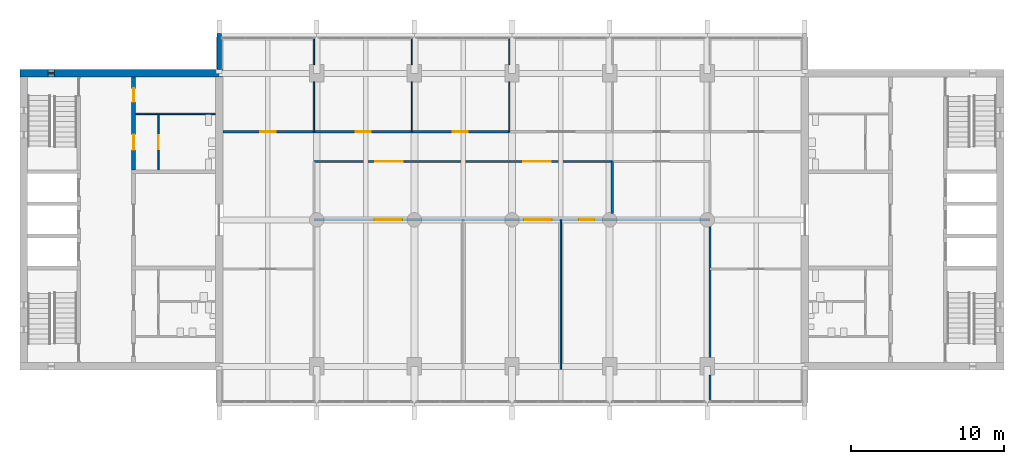
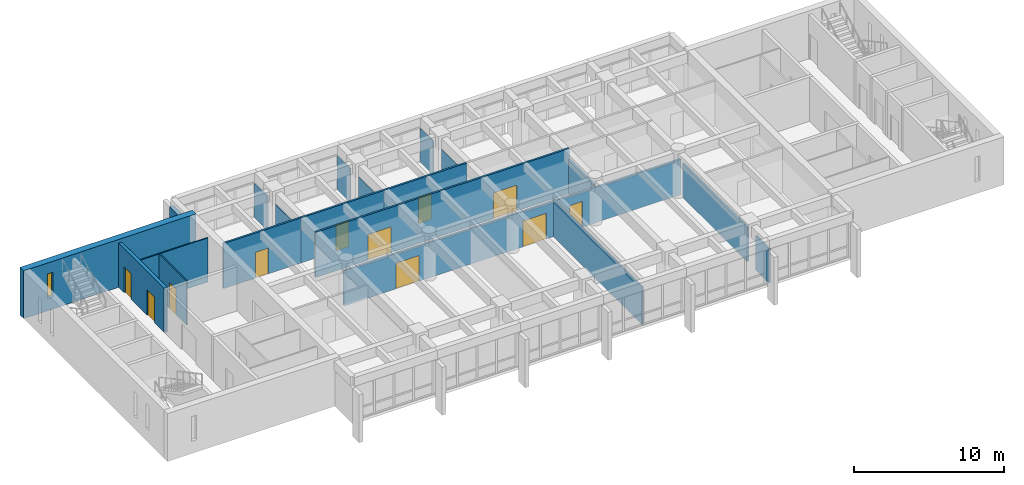
# One storey, part 10 of 15: 20 walls, 11 doors, 1 window, 12 openings.
"""IFC4 building model written with IfcOpenShell, lengths in metres."""

from ifc_helpers import new_model, si_unit, direction, frame, frame_2d, origin, place, context, subcontext, project, spatial, rectangle, extrude, material, layer, layer_set, type_object, element, fill, save


model = new_model("IFC4")

# Units and contexts
model_context = context("Model", 3, precision=1e-05, world=origin(), true_north=direction((0.0, 1.0)))
body_context = subcontext(model_context, "Body", "Model", "MODEL_VIEW")
ifc_project = project(units=[si_unit("LENGTHUNIT", "METRE"), si_unit("AREAUNIT", "SQUARE_METRE"), si_unit("VOLUMEUNIT", "CUBIC_METRE"), si_unit("PLANEANGLEUNIT", "RADIAN"), si_unit("MASSUNIT", "GRAM", prefix="KILO")], contexts=[model_context])

# Site, building, storey
site_placement = place(None, origin())
site = spatial("IfcSite", under=ifc_project, at=site_placement, CompositionType="ELEMENT")
building_placement = place(site_placement, origin())
building = spatial("IfcBuilding", under=site, at=building_placement, Name="Fogon Plaza Fire Station and Headquarters Tower", CompositionType="ELEMENT")
storey_placement = place(building_placement, frame((0.0, 0.0, 40.5)))
storey = spatial("IfcBuildingStorey", under=building, at=storey_placement, Name="L10", CompositionType="ELEMENT", Elevation=40.5)

# Wall, openings, doors
ifc_material_1 = material(Name="Concrete C40", Category="concrete")
ifc_layer_1 = layer(ifc_material_1, 0.25)
ifc_layer_set_1 = layer_set([ifc_layer_1], Name="Concrete C40")
wall_type_1 = type_object("IfcWallType", Name="Core Wall RC 250", PredefinedType="SOLIDWALL", material=ifc_layer_set_1)
wall_1_placement = place(storey_placement, frame((20.0, 46.47509765625, 0.0), z_axis=(0.0, 0.0, 1.0), x_axis=(0.0, 1.0, 0.0)))
wall_1 = element("IfcWall", 1, at=wall_1_placement, inside=storey, type_object=wall_type_1, Name="Core A shaft wall", PredefinedType="SOLIDWALL", context=body_context, shape_type="SweptSolid", body=[
    extrude(rectangle(XDim=6.074951171875, YDim=0.25, at=frame_2d((3.03759765625, 0.0))), origin(), (0.0, 0.0, 1.0), 3.60009765625),
])
opening_1_placement = place(wall_1_placement, frame((1.3125, 0.0, 0.0)))
opening_1 = element("IfcOpeningElement", 2, at=opening_1_placement, cuts=wall_1, Name="Opening L10-D12", PredefinedType="OPENING", context=body_context, shape_type="SweptSolid", body=[
    extrude(rectangle(XDim=1.0, YDim=2.10009765625, at=frame_2d((0.5, 1.050048828125))), frame((0.0, 0.135009765625, 0.0), z_axis=(0.0, -1.0, 0.0), x_axis=(1.0, 0.0, 0.0)), (0.0, 0.0, 1.0), 0.27001953125),
])
opening_2_placement = place(wall_1_placement, frame((4.449951171875, 0.0, 0.0)))
opening_2 = element("IfcOpeningElement", 3, at=opening_2_placement, cuts=wall_1, Name="Opening L10-D14", PredefinedType="OPENING", context=body_context, shape_type="SweptSolid", body=[
    extrude(rectangle(XDim=0.89990234375, YDim=2.10009765625, at=frame_2d((0.449951171875, 1.050048828125))), frame((0.0, 0.135009765625, 0.0), z_axis=(0.0, -1.0, 0.0), x_axis=(1.0, 0.0, 0.0)), (0.0, 0.0, 1.0), 0.27001953125),
])
ifc_material_2 = material(Name="Steel Fire Door Leaf", Category="steel")
door_type_1 = type_object("IfcDoorType", Name="Riser Single 900x2100", OperationType="SINGLE_SWING_LEFT", PredefinedType="DOOR", material=ifc_material_2)
door_1_placement = place(opening_2_placement, frame((0.89990234375, 0.0, 0.0), z_axis=(0.0, 0.0, 1.0), x_axis=(-1.0, 0.0, 0.0)))
door_1 = element("IfcDoor", 4, at=door_1_placement, inside=storey, type_object=door_type_1, Name="Riser room A door", OperationType="SINGLE_SWING_LEFT", OverallHeight=2.10009765625, OverallWidth=0.89990234375, PredefinedType="DOOR", context=body_context, shape_type="SweptSolid", body=[
    extrude(rectangle(XDim=0.89990234375, YDim=2.10009765625, at=frame_2d((0.449951171875, 1.050048828125))), frame((0.0, 0.02490234375, 0.0), z_axis=(0.0, -1.0, 0.0), x_axis=(1.0, 0.0, 0.0)), (0.0, 0.0, 1.0), 0.050048828125),
])
fill(opening_2, door_1)
ifc_material_3 = material(Name="Timber fire door", Category="wood")
door_type_2 = type_object("IfcDoorType", Name="WC Lobby Single 1000x2100", OperationType="SINGLE_SWING_LEFT", PredefinedType="DOOR", material=ifc_material_3)
door_2_placement = place(opening_1_placement, frame((1.0, 0.0, 0.0), z_axis=(0.0, 0.0, 1.0), x_axis=(-1.0, 0.0, 0.0)))
door_2 = element("IfcDoor", 5, at=door_2_placement, inside=storey, type_object=door_type_2, Name="Women's WC lobby A door", OperationType="SINGLE_SWING_LEFT", OverallHeight=2.10009765625, OverallWidth=1.0, PredefinedType="DOOR", context=body_context, shape_type="SweptSolid", body=[
    extrude(rectangle(XDim=1.0, YDim=2.10009765625, at=frame_2d((0.5, 1.050048828125))), frame((0.0, 0.02490234375, 0.0), z_axis=(0.0, -1.0, 0.0), x_axis=(1.0, 0.0, 0.0)), (0.0, 0.0, 1.0), 0.050048828125),
])
fill(opening_1, door_2)

# Wall
ifc_material_4 = material(Name="Concrete C40", Category="concrete")
ifc_layer_2 = layer(ifc_material_4, 0.300048828125)
ifc_layer_set_2 = layer_set([ifc_layer_2], Name="Concrete C40")
wall_type_2 = type_object("IfcWallType", Name="Fair-faced RC Return Panel 300", PredefinedType="SOLIDWALL", material=ifc_layer_set_2)
wall_2_placement = place(storey_placement, frame((25.60009765625, 53.050048828125, 0.0), z_axis=(0.0, 0.0, 1.0), x_axis=(0.0, 1.0, 0.0)))
element("IfcWall", 6, at=wall_2_placement, inside=storey, type_object=wall_type_2, Name="Bar end return WN L10", PredefinedType="SOLIDWALL", context=body_context, shape_type="SweptSolid", body=[
    extrude(rectangle(XDim=2.349853515625, YDim=0.300048828125, at=frame_2d((1.1748046875, 0.0))), origin(), (0.0, 0.0, 1.0), 2.8798828125),
])

# Wall, opening, door
ifc_material_5 = material(Name="Blockwork", Category="masonry")
ifc_layer_3 = layer(ifc_material_5, 0.10009765625)
ifc_layer_set_3 = layer_set([ifc_layer_3], Name="Blockwork")
wall_type_3 = type_object("IfcWallType", Name="Partition Blockwork 100", PredefinedType="PARTITIONING", material=ifc_layer_set_3)
wall_3_placement = place(storey_placement, frame((21.625, 46.47509765625, 0.0), z_axis=(0.0, 0.0, 1.0), x_axis=(0.0, 1.0, 0.0)))
wall_3 = element("IfcWall", 7, at=wall_3_placement, inside=storey, type_object=wall_type_3, Name="WC block partition", PredefinedType="PARTITIONING", context=body_context, shape_type="SweptSolid", body=[
    extrude(rectangle(XDim=3.625, YDim=0.10009765625, at=frame_2d((1.8125, 0.0))), origin(), (0.0, 0.0, 1.0), 3.60009765625),
])
opening_3_placement = place(wall_3_placement, frame((1.362548828125, 0.0, 0.0)))
opening_3 = element("IfcOpeningElement", 8, at=opening_3_placement, cuts=wall_3, Name="Opening L10-D13", PredefinedType="OPENING", context=body_context, shape_type="SweptSolid", body=[
    extrude(rectangle(XDim=0.89990234375, YDim=2.10009765625, at=frame_2d((0.449951171875, 1.050048828125))), frame((0.0, 0.06005859375, 0.0), z_axis=(0.0, -1.0, 0.0), x_axis=(1.0, 0.0, 0.0)), (0.0, 0.0, 1.0), 0.1201171875),
])
ifc_material_6 = material(Name="Timber Door Leaf", Category="wood")
door_type_3 = type_object("IfcDoorType", Name="WC Single 900x2100", OperationType="SINGLE_SWING_LEFT", PredefinedType="DOOR", material=ifc_material_6)
door_3_placement = place(opening_3_placement, frame((0.89990234375, 0.0, 0.0), z_axis=(0.0, 0.0, 1.0), x_axis=(-1.0, 0.0, 0.0)))
door_3 = element("IfcDoor", 9, at=door_3_placement, inside=storey, type_object=door_type_3, Name="Women's WC A door", OperationType="SINGLE_SWING_RIGHT", OverallHeight=2.10009765625, OverallWidth=0.89990234375, PredefinedType="DOOR", context=body_context, shape_type="SweptSolid", body=[
    extrude(rectangle(XDim=0.89990234375, YDim=2.10009765625, at=frame_2d((0.449951171875, 1.050048828125))), frame((0.0, 0.02490234375, 0.0), z_axis=(0.0, -1.0, 0.0), x_axis=(1.0, 0.0, 0.0)), (0.0, 0.0, 1.0), 0.050048828125),
])
fill(opening_3, door_3)

# Wall
ifc_material_7 = material(Name="Blockwork", Category="masonry")
ifc_layer_4 = layer(ifc_material_7, 0.10009765625)
ifc_layer_set_4 = layer_set([ifc_layer_4], Name="Blockwork")
wall_type_4 = type_object("IfcWallType", Name="Riser Partition Blockwork 100", PredefinedType="PARTITIONING", material=ifc_layer_set_4)
wall_4_placement = place(storey_placement, frame((20.125, 50.14990234375, 0.0), z_axis=(0.0, 0.0, 1.0), x_axis=(1.0, 0.0, 0.0)))
element("IfcWall", 10, at=wall_4_placement, inside=storey, type_object=wall_type_4, Name="Riser room partition", PredefinedType="PARTITIONING", context=body_context, shape_type="SweptSolid", body=[
    extrude(rectangle(XDim=5.22509765625, YDim=0.10009765625, at=frame_2d((2.612548828125, 0.0))), origin(), (0.0, 0.0, 1.0), 3.60009765625),
])

# Wall, opening, window
ifc_material_8 = material(Name="Concrete C40", Category="concrete")
ifc_layer_5 = layer(ifc_material_8, 0.5)
ifc_layer_set_5 = layer_set([ifc_layer_5], Name="Concrete C40")
wall_type_5 = type_object("IfcWallType", Name="Shear wall 500 SW50", PredefinedType="SHEAR", material=ifc_layer_set_5)
wall_5_placement = place(storey_placement, frame((12.550048828125, 52.800048828125, 0.0), z_axis=(0.0, 0.0, 1.0), x_axis=(1.0, 0.0, 0.0)))
wall_5 = element("IfcWall", 11, at=wall_5_placement, inside=storey, type_object=wall_type_5, Name="wall-coreA-N-L10", PredefinedType="SHEAR", context=body_context, shape_type="SweptSolid", body=[
    extrude(rectangle(XDim=13.300048828125, YDim=0.5, at=frame_2d((6.64990234375, 0.0))), origin(), (0.0, 0.0, 1.0), 3.89990234375),
])
opening_4_placement = place(wall_5_placement, frame((1.85009765625, 0.0, 1.0)))
opening_4 = element("IfcOpeningElement", 12, at=opening_4_placement, cuts=wall_5, Name="Opening WS1", PredefinedType="OPENING", context=body_context, shape_type="SweptSolid", body=[
    extrude(rectangle(XDim=0.39990234375, YDim=2.0, at=frame_2d((0.199951171875, 1.0))), frame((0.0, 0.260009765625, 0.0), z_axis=(0.0, -1.0, 0.0), x_axis=(1.0, 0.0, 0.0)), (0.0, 0.0, 1.0), 0.52001953125),
])
ifc_material_9 = material(Name="Aluminium framed double glazing", Category="aluminium")
window_type = type_object("IfcWindowType", Name="Slit Window WS1 400x2000", PartitioningType="SINGLE_PANEL", PredefinedType="WINDOW", material=ifc_material_9)
window_placement = place(opening_4_placement, origin())
window = element("IfcWindow", 13, at=window_placement, inside=storey, type_object=window_type, Name="Slit window A6 L10", OverallHeight=2.0, OverallWidth=0.39990234375, PartitioningType="SINGLE_PANEL", PredefinedType="WINDOW", context=body_context, shape_type="SweptSolid", body=[
    extrude(rectangle(XDim=0.39990234375, YDim=2.0, at=frame_2d((0.199951171875, 1.0))), frame((0.0, 0.030029296875, 0.0), z_axis=(0.0, -1.0, 0.0), x_axis=(1.0, 0.0, 0.0)), (0.0, 0.0, 1.0), 0.06005859375),
])
fill(opening_4, window)

# Wall, openings, doors
ifc_material_10 = material(Name="Gypsum board on steel stud", Category="steel")
ifc_layer_6 = layer(ifc_material_10, 0.14990234375)
ifc_layer_set_6 = layer_set([ifc_layer_6], Name="Gypsum board on steel stud")
wall_type_6 = type_object("IfcWallType", Name="Tower corridor partition 150 EI 60", PredefinedType="PARTITIONING", material=ifc_layer_set_6)
wall_6_placement = place(storey_placement, frame((31.820068359375, 47.02490234375, 0.0), z_axis=(0.0, 0.0, 1.0), x_axis=(1.0, 0.0, 0.0)))
wall_6 = element("IfcWall", 14, at=wall_6_placement, inside=storey, type_object=wall_type_6, Name="part-L10-03", PredefinedType="PARTITIONING", context=body_context, shape_type="SweptSolid", body=[
    extrude(rectangle(XDim=19.559814453125, YDim=0.14990234375, at=frame_2d((9.77978515625, 0.0))), origin(), (0.0, 0.0, 1.0), 3.679931640625),
])
opening_5_placement = place(wall_6_placement, frame((4.030029296875, 0.0, 0.0)))
opening_5 = element("IfcOpeningElement", 15, at=opening_5_placement, cuts=wall_6, Name="Opening L10-D29", PredefinedType="OPENING", context=body_context, shape_type="SweptSolid", body=[
    extrude(rectangle(XDim=1.800048828125, YDim=2.10009765625, at=frame_2d((0.89990234375, 1.050048828125))), frame((0.0, 0.0849609375, 0.0), z_axis=(0.0, -1.0, 0.0), x_axis=(1.0, 0.0, 0.0)), (0.0, 0.0, 1.0), 0.169921875),
])
opening_6_placement = place(wall_6_placement, frame((13.72998046875, 0.0, 0.0)))
opening_6 = element("IfcOpeningElement", 16, at=opening_6_placement, cuts=wall_6, Name="Opening L10-D30", PredefinedType="OPENING", context=body_context, shape_type="SweptSolid", body=[
    extrude(rectangle(XDim=1.800048828125, YDim=2.10009765625, at=frame_2d((0.89990234375, 1.050048828125))), frame((0.0, 0.0849609375, 0.0), z_axis=(0.0, -1.0, 0.0), x_axis=(1.0, 0.0, 0.0)), (0.0, 0.0, 1.0), 0.169921875),
])
ifc_material_11 = material(Name="Timber fire door", Category="wood")
door_type_4 = type_object("IfcDoorType", Name="Tower fire door double 1800 EI 20", OperationType="DOUBLE_DOOR_SINGLE_SWING", PredefinedType="DOOR", material=ifc_material_11)
door_4_placement = place(opening_5_placement, origin())
door_4 = element("IfcDoor", 17, at=door_4_placement, inside=storey, type_object=door_type_4, Name="door-L10-01", OperationType="DOUBLE_DOOR_SINGLE_SWING", OverallHeight=2.10009765625, OverallWidth=1.800048828125, PredefinedType="DOOR", context=body_context, shape_type="SweptSolid", body=[
    extrude(rectangle(XDim=1.800048828125, YDim=2.10009765625, at=frame_2d((0.89990234375, 1.050048828125))), frame((0.0, 0.02490234375, 0.0), z_axis=(0.0, -1.0, 0.0), x_axis=(1.0, 0.0, 0.0)), (0.0, 0.0, 1.0), 0.050048828125),
])
fill(opening_5, door_4)
door_5_placement = place(opening_6_placement, origin())
door_5 = element("IfcDoor", 18, at=door_5_placement, inside=storey, type_object=door_type_4, Name="door-L10-02", OperationType="DOUBLE_DOOR_SINGLE_SWING", OverallHeight=2.10009765625, OverallWidth=1.800048828125, PredefinedType="DOOR", context=body_context, shape_type="SweptSolid", body=[
    extrude(rectangle(XDim=1.800048828125, YDim=2.10009765625, at=frame_2d((0.89990234375, 1.050048828125))), frame((0.0, 0.02490234375, 0.0), z_axis=(0.0, -1.0, 0.0), x_axis=(1.0, 0.0, 0.0)), (0.0, 0.0, 1.0), 0.050048828125),
])
fill(opening_6, door_5)

# Wall, opening, door
wall_7_placement = place(storey_placement, frame((25.85009765625, 48.97509765625, 0.0), z_axis=(0.0, 0.0, 1.0), x_axis=(1.0, 0.0, 0.0)))
wall_7 = element("IfcWall", 19, at=wall_7_placement, inside=storey, type_object=wall_type_6, Name="part-L10-06", PredefinedType="PARTITIONING", context=body_context, shape_type="SweptSolid", body=[
    extrude(rectangle(XDim=5.969970703125, YDim=0.14990234375, at=frame_2d((2.98486328125, 0.0))), origin(), (0.0, 0.0, 1.0), 3.679931640625),
])
opening_7_placement = place(wall_7_placement, frame((2.449951171875, 0.0, 0.0)))
opening_7 = element("IfcOpeningElement", 20, at=opening_7_placement, cuts=wall_7, Name="Opening L10-D32", PredefinedType="OPENING", context=body_context, shape_type="SweptSolid", body=[
    extrude(rectangle(XDim=1.0, YDim=2.10009765625, at=frame_2d((0.5, 1.050048828125))), frame((0.0, 0.0849609375, 0.0), z_axis=(0.0, -1.0, 0.0), x_axis=(1.0, 0.0, 0.0)), (0.0, 0.0, 1.0), 0.169921875),
])
ifc_material_12 = material(Name="Timber fire door", Category="wood")
door_type_5 = type_object("IfcDoorType", Name="Tower fire door single 1000 EI 20", OperationType="SINGLE_SWING_LEFT", PredefinedType="DOOR", material=ifc_material_12)
door_6_placement = place(opening_7_placement, origin())
door_6 = element("IfcDoor", 21, at=door_6_placement, inside=storey, type_object=door_type_5, Name="door-L10-04", OperationType="SINGLE_SWING_RIGHT", OverallHeight=2.10009765625, OverallWidth=1.0, PredefinedType="DOOR", context=body_context, shape_type="SweptSolid", body=[
    extrude(rectangle(XDim=1.0, YDim=2.10009765625, at=frame_2d((0.5, 1.050048828125))), frame((0.0, 0.02490234375, 0.0), z_axis=(0.0, -1.0, 0.0), x_axis=(1.0, 0.0, 0.0)), (0.0, 0.0, 1.0), 0.050048828125),
])
fill(opening_7, door_6)

wall_8_placement = place(storey_placement, frame((31.820068359375, 48.97509765625, 0.0), z_axis=(0.0, 0.0, 1.0), x_axis=(1.0, 0.0, 0.0)))
wall_8 = element("IfcWall", 22, at=wall_8_placement, inside=storey, type_object=wall_type_6, Name="part-L10-07", PredefinedType="PARTITIONING", context=body_context, shape_type="SweptSolid", body=[
    extrude(rectangle(XDim=6.39990234375, YDim=0.14990234375, at=frame_2d((3.199951171875, 0.0))), origin(), (0.0, 0.0, 1.0), 3.679931640625),
])
opening_8_placement = place(wall_8_placement, frame((2.72998046875, 0.0, 0.0)))
opening_8 = element("IfcOpeningElement", 23, at=opening_8_placement, cuts=wall_8, Name="Opening L10-D33", PredefinedType="OPENING", context=body_context, shape_type="SweptSolid", body=[
    extrude(rectangle(XDim=1.0, YDim=2.10009765625, at=frame_2d((0.5, 1.050048828125))), frame((0.0, 0.0849609375, 0.0), z_axis=(0.0, -1.0, 0.0), x_axis=(1.0, 0.0, 0.0)), (0.0, 0.0, 1.0), 0.169921875),
])
door_7_placement = place(opening_8_placement, origin())
door_7 = element("IfcDoor", 24, at=door_7_placement, inside=storey, type_object=door_type_5, Name="door-L10-05", OperationType="SINGLE_SWING_LEFT", OverallHeight=2.10009765625, OverallWidth=1.0, PredefinedType="DOOR", context=body_context, shape_type="SweptSolid", body=[
    extrude(rectangle(XDim=1.0, YDim=2.10009765625, at=frame_2d((0.5, 1.050048828125))), frame((0.0, 0.02490234375, 0.0), z_axis=(0.0, -1.0, 0.0), x_axis=(1.0, 0.0, 0.0)), (0.0, 0.0, 1.0), 0.050048828125),
])
fill(opening_8, door_7)

wall_9_placement = place(storey_placement, frame((38.219970703125, 48.97509765625, 0.0), z_axis=(0.0, 0.0, 1.0), x_axis=(1.0, 0.0, 0.0)))
wall_9 = element("IfcWall", 25, at=wall_9_placement, inside=storey, type_object=wall_type_6, Name="part-L10-08", PredefinedType="PARTITIONING", context=body_context, shape_type="SweptSolid", body=[
    extrude(rectangle(XDim=6.400146484375, YDim=0.14990234375, at=frame_2d((3.2001953125, 0.0))), origin(), (0.0, 0.0, 1.0), 3.679931640625),
])
opening_9_placement = place(wall_9_placement, frame((2.679931640625, 0.0, 0.0)))
opening_9 = element("IfcOpeningElement", 26, at=opening_9_placement, cuts=wall_9, Name="Opening L10-D34", PredefinedType="OPENING", context=body_context, shape_type="SweptSolid", body=[
    extrude(rectangle(XDim=1.0, YDim=2.10009765625, at=frame_2d((0.5, 1.050048828125))), frame((0.0, 0.0849609375, 0.0), z_axis=(0.0, -1.0, 0.0), x_axis=(1.0, 0.0, 0.0)), (0.0, 0.0, 1.0), 0.169921875),
])
ifc_material_13 = material(Name="Fire rated glazed door")
door_type_6 = type_object("IfcDoorType", Name="Tower glazed fire door single 1000 EI 20", OperationType="SINGLE_SWING_LEFT", PredefinedType="DOOR", material=ifc_material_13)
door_8_placement = place(opening_9_placement, origin())
door_8 = element("IfcDoor", 27, at=door_8_placement, inside=storey, type_object=door_type_6, Name="door-L10-06", OperationType="SINGLE_SWING_RIGHT", OverallHeight=2.10009765625, OverallWidth=1.0, PredefinedType="DOOR", context=body_context, shape_type="SweptSolid", body=[
    extrude(rectangle(XDim=1.0, YDim=2.10009765625, at=frame_2d((0.5, 1.050048828125))), frame((0.0, 0.02490234375, 0.0), z_axis=(0.0, -1.0, 0.0), x_axis=(1.0, 0.0, 0.0)), (0.0, 0.0, 1.0), 0.050048828125),
])
fill(opening_9, door_8)

# Wall, openings, doors
ifc_material_14 = material(Name="Gypsum board on steel stud", Category="steel")
ifc_layer_7 = layer(ifc_material_14, 0.14990234375)
ifc_layer_set_7 = layer_set([ifc_layer_7], Name="Gypsum board on steel stud")
wall_type_7 = type_object("IfcWallType", Name="Tower corridor partition 150 EI 60 Beam Head 800", PredefinedType="PARTITIONING", material=ifc_layer_set_7)
wall_10_placement = place(storey_placement, frame((31.820068359375, 43.199951171875, 0.0), z_axis=(0.0, 0.0, 1.0), x_axis=(1.0, 0.0, 0.0)))
wall_10 = element("IfcWall", 28, at=wall_10_placement, inside=storey, type_object=wall_type_7, Name="part-L10-22", PredefinedType="PARTITIONING", context=body_context, shape_type="SweptSolid", body=[
    extrude(rectangle(XDim=25.9599609375, YDim=0.14990234375, at=frame_2d((12.97998046875, 0.0))), origin(), (0.0, 0.0, 1.0), 2.8798828125),
])
opening_10_placement = place(wall_10_placement, frame((3.97509765625, 0.0, 0.0)))
opening_10 = element("IfcOpeningElement", 29, at=opening_10_placement, cuts=wall_10, Name="Opening L10-D40", PredefinedType="OPENING", context=body_context, shape_type="SweptSolid", body=[
    extrude(rectangle(XDim=1.800048828125, YDim=2.10009765625, at=frame_2d((0.89990234375, 1.050048828125))), frame((0.0, 0.0849609375, 0.0), z_axis=(0.0, -1.0, 0.0), x_axis=(1.0, 0.0, 0.0)), (0.0, 0.0, 1.0), 0.169921875),
])
opening_11_placement = place(wall_10_placement, frame((13.780029296875, 0.0, 0.0)))
opening_11 = element("IfcOpeningElement", 30, at=opening_11_placement, cuts=wall_10, Name="Opening L10-D41", PredefinedType="OPENING", context=body_context, shape_type="SweptSolid", body=[
    extrude(rectangle(XDim=1.800048828125, YDim=2.10009765625, at=frame_2d((0.89990234375, 1.050048828125))), frame((0.0, 0.0849609375, 0.0), z_axis=(0.0, -1.0, 0.0), x_axis=(1.0, 0.0, 0.0)), (0.0, 0.0, 1.0), 0.169921875),
])
opening_12_placement = place(wall_10_placement, frame((17.3798828125, 0.0, 0.0)))
opening_12 = element("IfcOpeningElement", 31, at=opening_12_placement, cuts=wall_10, Name="Opening L10-D42", PredefinedType="OPENING", context=body_context, shape_type="SweptSolid", body=[
    extrude(rectangle(XDim=1.0, YDim=2.10009765625, at=frame_2d((0.5, 1.050048828125))), frame((0.0, 0.0849609375, 0.0), z_axis=(0.0, -1.0, 0.0), x_axis=(1.0, 0.0, 0.0)), (0.0, 0.0, 1.0), 0.169921875),
])
door_9_placement = place(opening_10_placement, frame((1.800048828125, 0.0, 0.0), z_axis=(0.0, 0.0, 1.0), x_axis=(-1.0, 0.0, 0.0)))
door_9 = element("IfcDoor", 32, at=door_9_placement, inside=storey, type_object=door_type_4, Name="door-L10-12", OperationType="DOUBLE_DOOR_SINGLE_SWING", OverallHeight=2.10009765625, OverallWidth=1.800048828125, PredefinedType="DOOR", context=body_context, shape_type="SweptSolid", body=[
    extrude(rectangle(XDim=1.800048828125, YDim=2.10009765625, at=frame_2d((0.89990234375, 1.050048828125))), frame((0.0, 0.02490234375, 0.0), z_axis=(0.0, -1.0, 0.0), x_axis=(1.0, 0.0, 0.0)), (0.0, 0.0, 1.0), 0.050048828125),
])
fill(opening_10, door_9)
door_10_placement = place(opening_11_placement, frame((1.800048828125, 0.0, 0.0), z_axis=(0.0, 0.0, 1.0), x_axis=(-1.0, 0.0, 0.0)))
door_10 = element("IfcDoor", 33, at=door_10_placement, inside=storey, type_object=door_type_4, Name="door-L10-13", OperationType="DOUBLE_DOOR_SINGLE_SWING", OverallHeight=2.10009765625, OverallWidth=1.800048828125, PredefinedType="DOOR", context=body_context, shape_type="SweptSolid", body=[
    extrude(rectangle(XDim=1.800048828125, YDim=2.10009765625, at=frame_2d((0.89990234375, 1.050048828125))), frame((0.0, 0.02490234375, 0.0), z_axis=(0.0, -1.0, 0.0), x_axis=(1.0, 0.0, 0.0)), (0.0, 0.0, 1.0), 0.050048828125),
])
fill(opening_11, door_10)
door_11_placement = place(opening_12_placement, frame((1.0, 0.0, 0.0), z_axis=(0.0, 0.0, 1.0), x_axis=(-1.0, 0.0, 0.0)))
door_11 = element("IfcDoor", 34, at=door_11_placement, inside=storey, type_object=door_type_5, Name="door-L10-14", OperationType="SINGLE_SWING_LEFT", OverallHeight=2.10009765625, OverallWidth=1.0, PredefinedType="DOOR", context=body_context, shape_type="SweptSolid", body=[
    extrude(rectangle(XDim=1.0, YDim=2.10009765625, at=frame_2d((0.5, 1.050048828125))), frame((0.0, 0.02490234375, 0.0), z_axis=(0.0, -1.0, 0.0), x_axis=(1.0, 0.0, 0.0)), (0.0, 0.0, 1.0), 0.050048828125),
])
fill(opening_12, door_11)

# Walls
ifc_material_15 = material(Name="Gypsum board on steel stud", Category="steel")
ifc_layer_8 = layer(ifc_material_15, 0.14990234375)
ifc_layer_set_8 = layer_set([ifc_layer_8], Name="Gypsum board on steel stud")
wall_type_8 = type_object("IfcWallType", Name="Tower corridor partition 150 EI 60 Beam Head 900", PredefinedType="PARTITIONING", material=ifc_layer_set_8)
wall_11_placement = place(storey_placement, frame((51.3798828125, 43.61962890625, 0.0), z_axis=(0.0, 0.0, 1.0), x_axis=(0.0, 1.0, 0.0)))
element("IfcWall", 35, at=wall_11_placement, inside=storey, type_object=wall_type_8, Name="part-L10-05", PredefinedType="PARTITIONING", context=body_context, shape_type="SweptSolid", body=[
    extrude(rectangle(XDim=3.4052734375, YDim=0.14990234375, at=frame_2d((1.70263671875, 0.0))), origin(), (0.0, 0.0, 1.0), 2.780029296875),
])
wall_12_placement = place(storey_placement, frame((57.780029296875, 31.300048828125, 0.0), z_axis=(0.0, 0.0, 1.0), x_axis=(0.0, 1.0, 0.0)))
element("IfcWall", 36, at=wall_12_placement, inside=storey, type_object=wall_type_8, Name="part-L10-28", PredefinedType="PARTITIONING", context=body_context, shape_type="SweptSolid", body=[
    extrude(rectangle(XDim=1.744873046875, YDim=0.14990234375, at=frame_2d((0.87255859375, 0.0))), origin(), (0.0, 0.0, 1.0), 2.780029296875),
])
wall_13_placement = place(storey_placement, frame((57.780029296875, 34.155029296875, 0.0), z_axis=(0.0, 0.0, 1.0), x_axis=(0.0, 1.0, 0.0)))
element("IfcWall", 37, at=wall_13_placement, inside=storey, type_object=wall_type_8, Name="part-L10-29", PredefinedType="PARTITIONING", context=body_context, shape_type="SweptSolid", body=[
    extrude(rectangle(XDim=8.62548828125, YDim=0.14990234375, at=frame_2d((4.312744140625, 0.0))), origin(), (0.0, 0.0, 1.0), 2.780029296875),
])
ifc_material_16 = material(Name="Glazed aluminium partition", Category="aluminium")
ifc_layer_9 = layer(ifc_material_16, 0.074951171875)
ifc_layer_set_9 = layer_set([ifc_layer_9], Name="Glazed aluminium partition")
wall_type_9 = type_object("IfcWallType", Name="Tower glazed partition 75 Beam Head 900", PredefinedType="PARTITIONING", material=ifc_layer_set_9)
wall_14_placement = place(storey_placement, frame((38.219970703125, 48.97509765625, 0.0), z_axis=(0.0, 0.0, 1.0), x_axis=(0.0, 1.0, 0.0)))
element("IfcWall", 38, at=wall_14_placement, inside=storey, type_object=wall_type_9, Name="part-L10-14", PredefinedType="PARTITIONING", context=body_context, shape_type="SweptSolid", body=[
    extrude(rectangle(XDim=3.27001953125, YDim=0.074951171875, at=frame_2d((1.635009765625, 0.0))), origin(), (0.0, 0.0, 1.0), 2.780029296875),
])
wall_15_placement = place(storey_placement, frame((38.219970703125, 53.35498046875, 0.0), z_axis=(0.0, 0.0, 1.0), x_axis=(0.0, 1.0, 0.0)))
element("IfcWall", 39, at=wall_15_placement, inside=storey, type_object=wall_type_9, Name="part-L10-15", PredefinedType="PARTITIONING", context=body_context, shape_type="SweptSolid", body=[
    extrude(rectangle(XDim=1.7451171875, YDim=0.074951171875, at=frame_2d((0.87255859375, 0.0))), origin(), (0.0, 0.0, 1.0), 2.780029296875),
])
wall_16_placement = place(storey_placement, frame((44.6201171875, 48.97509765625, 0.0), z_axis=(0.0, 0.0, 1.0), x_axis=(0.0, 1.0, 0.0)))
element("IfcWall", 40, at=wall_16_placement, inside=storey, type_object=wall_type_9, Name="part-L10-16", PredefinedType="PARTITIONING", context=body_context, shape_type="SweptSolid", body=[
    extrude(rectangle(XDim=3.27001953125, YDim=0.074951171875, at=frame_2d((1.635009765625, 0.0))), origin(), (0.0, 0.0, 1.0), 2.780029296875),
])
wall_17_placement = place(storey_placement, frame((44.6201171875, 53.35498046875, 0.0), z_axis=(0.0, 0.0, 1.0), x_axis=(0.0, 1.0, 0.0)))
element("IfcWall", 41, at=wall_17_placement, inside=storey, type_object=wall_type_9, Name="part-L10-17", PredefinedType="PARTITIONING", context=body_context, shape_type="SweptSolid", body=[
    extrude(rectangle(XDim=1.7451171875, YDim=0.074951171875, at=frame_2d((0.87255859375, 0.0))), origin(), (0.0, 0.0, 1.0), 2.780029296875),
])
ifc_material_17 = material(Name="Gypsum board on steel stud", Category="steel")
ifc_layer_10 = layer(ifc_material_17, 0.10009765625)
ifc_layer_set_10 = layer_set([ifc_layer_10], Name="Gypsum board on steel stud")
wall_type_10 = type_object("IfcWallType", Name="Tower office partition 100 Beam Head 600", PredefinedType="PARTITIONING", material=ifc_layer_set_10)
wall_18_placement = place(storey_placement, frame((48.0, 31.300048828125, 0.0), z_axis=(0.0, 0.0, 1.0), x_axis=(0.0, 1.0, 0.0)))
element("IfcWall", 42, at=wall_18_placement, inside=storey, type_object=wall_type_10, Name="part-L10-02", PredefinedType="PARTITIONING", context=body_context, shape_type="SweptSolid", body=[
    extrude(rectangle(XDim=11.89990234375, YDim=0.10009765625, at=frame_2d((5.949951171875, 0.0))), origin(), (0.0, 0.0, 1.0), 3.080078125),
])
ifc_material_18 = material(Name="Gypsum board on steel stud", Category="steel")
ifc_layer_11 = layer(ifc_material_18, 0.10009765625)
ifc_layer_set_11 = layer_set([ifc_layer_11], Name="Gypsum board on steel stud")
wall_type_11 = type_object("IfcWallType", Name="Tower office partition 100 Beam Head 900", PredefinedType="PARTITIONING", material=ifc_layer_set_11)
wall_19_placement = place(storey_placement, frame((31.820068359375, 48.97509765625, 0.0), z_axis=(0.0, 0.0, 1.0), x_axis=(0.0, 1.0, 0.0)))
element("IfcWall", 43, at=wall_19_placement, inside=storey, type_object=wall_type_11, Name="part-L10-12", PredefinedType="PARTITIONING", context=body_context, shape_type="SweptSolid", body=[
    extrude(rectangle(XDim=3.27001953125, YDim=0.10009765625, at=frame_2d((1.635009765625, 0.0))), origin(), (0.0, 0.0, 1.0), 2.780029296875),
])
wall_20_placement = place(storey_placement, frame((31.820068359375, 53.35498046875, 0.0), z_axis=(0.0, 0.0, 1.0), x_axis=(0.0, 1.0, 0.0)))
element("IfcWall", 44, at=wall_20_placement, inside=storey, type_object=wall_type_11, Name="part-L10-13", PredefinedType="PARTITIONING", context=body_context, shape_type="SweptSolid", body=[
    extrude(rectangle(XDim=1.7451171875, YDim=0.10009765625, at=frame_2d((0.87255859375, 0.0))), origin(), (0.0, 0.0, 1.0), 2.780029296875),
])

save(model, "model.ifc")
